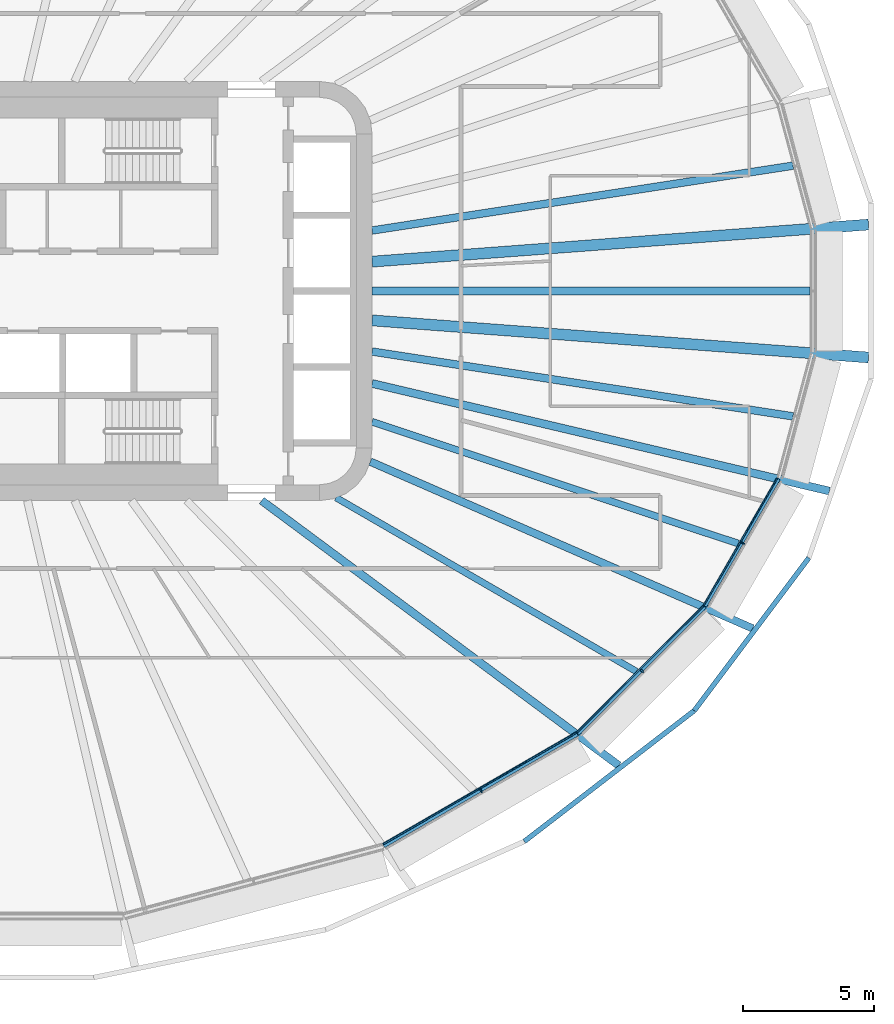
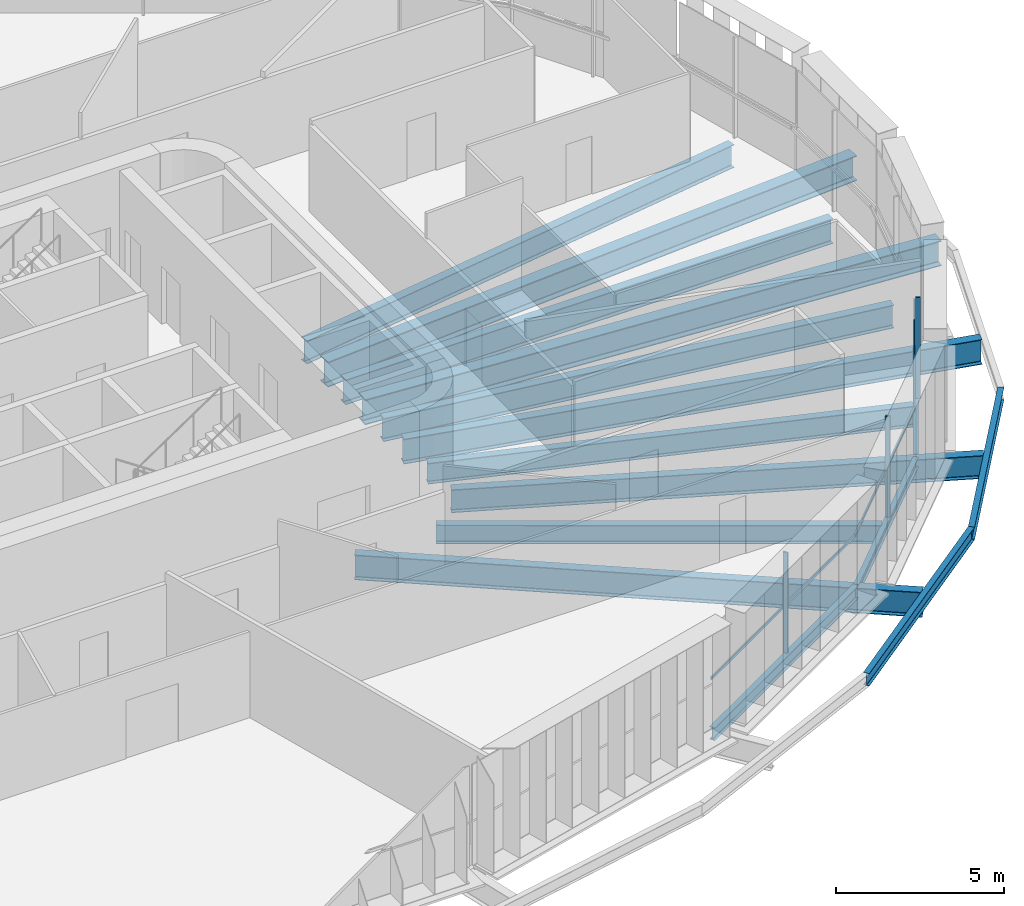
# One storey, part 5 of 25: 15 beams, 6 members, 3 elements without a shape of their own.
"""IFC4 building model written with IfcOpenShell, lengths in metres."""

from ifc_helpers import new_model, si_unit, direction, frame, origin, origin_2d, place, context, subcontext, project, spatial, rectangle, i_section, extrude, material, layer, layer_set, material_profile, profile_set, type_object, element, aggregate, save


model = new_model("IFC4")

# Units and contexts
model_context = context("Model", 3, precision=1e-05, world=origin(), true_north=direction((0.0, 1.0)))
body_context = subcontext(model_context, "Body", "Model", "MODEL_VIEW")
ifc_project = project(units=[si_unit("LENGTHUNIT", "METRE"), si_unit("AREAUNIT", "SQUARE_METRE"), si_unit("VOLUMEUNIT", "CUBIC_METRE"), si_unit("PLANEANGLEUNIT", "RADIAN"), si_unit("MASSUNIT", "GRAM", prefix="KILO")], contexts=[model_context])

# Site, building, storey
site_placement = place(None, origin())
site = spatial("IfcSite", under=ifc_project, at=site_placement, CompositionType="ELEMENT")
building_placement = place(site_placement, origin())
building = spatial("IfcBuilding", under=site, at=building_placement, Name="Sahrelin Media Tower", CompositionType="ELEMENT")
storey_placement = place(building_placement, frame((0.0, 0.0, 106.199951171875)))
storey = spatial("IfcBuildingStorey", under=building, at=storey_placement, Name="L20", CompositionType="ELEMENT", Elevation=106.199951171875)

# Beams
ifc_material_1 = material(Name="Steel S355", Category="steel")
ifc_material_profile_1 = material_profile(ifc_material_1, i_section(OverallWidth=0.1650390625, OverallDepth=0.303466796875, WebThickness=0.006103515625, FlangeThickness=0.01025390625, FilletRadius=0.0087890625, at=origin_2d()), Name="UB 305x165x40")
ifc_profile_set_1 = profile_set([ifc_material_profile_1], Name="Steel S355")
beam_type_1 = type_object("IfcBeamType", Name="Edge beam EB2", PredefinedType="BEAM", material=ifc_profile_set_1)
beam_1_placement = place(storey_placement, frame((30.5048828125, -7.1650390625, -0.3017578125), z_axis=(-0.500017404508, -0.866015355054, 0.0), x_axis=(0.866015355054, -0.500017404508, 0.0)))
element("IfcBeam", 1, at=beam_1_placement, inside=storey, type_object=beam_type_1, Name="Edge beam L20-03", PredefinedType="BEAM", context=body_context, shape_type="SweptSolid", body=[
    extrude(i_section(OverallWidth=0.1650390625, OverallDepth=0.303466796875, WebThickness=0.006103515625, FlangeThickness=0.01025390625, FilletRadius=0.0087890625, at=origin_2d()), origin(), (0.0, 0.0, 1.0), 5.612548828125),
])
ifc_material_profile_2 = material_profile(ifc_material_1, i_section(OverallWidth=0.17138671875, OverallDepth=0.35498046875, WebThickness=0.00732421875, FlangeThickness=0.011474609375, FilletRadius=0.01025390625, at=origin_2d()), Name="UB 356x171x51")
ifc_profile_set_2 = profile_set([ifc_material_profile_2], Name="Steel S355")
beam_type_2 = type_object("IfcBeamType", Name="Edge beam EB3", PredefinedType="BEAM", material=ifc_profile_set_2)
beam_2_placement = place(storey_placement, frame((27.68115234375, -12.048583984375, -0.327392578125), z_axis=(-0.707124646667, -0.707088915255, 0.0), x_axis=(0.707088915255, -0.707124646667, 0.0)))
element("IfcBeam", 2, at=beam_2_placement, inside=storey, type_object=beam_type_2, Name="Edge beam L20-04", PredefinedType="BEAM", context=body_context, shape_type="SweptSolid", body=[
    extrude(i_section(OverallWidth=0.17138671875, OverallDepth=0.35498046875, WebThickness=0.00732421875, FlangeThickness=0.011474609375, FilletRadius=0.01025390625, at=origin_2d()), origin(), (0.0, 0.0, 1.0), 6.832763671875),
])
ifc_material_profile_3 = material_profile(ifc_material_1, i_section(OverallWidth=0.1904296875, OverallDepth=0.45703125, WebThickness=0.009033203125, FlangeThickness=0.014404296875, FilletRadius=0.01025390625, at=origin_2d()), Name="UB 457x191x74")
ifc_profile_set_3 = profile_set([ifc_material_profile_3], Name="Steel S355")
beam_type_3 = type_object("IfcBeamType", Name="Edge beam EB5", PredefinedType="BEAM", material=ifc_profile_set_3)
beam_3_placement = place(storey_placement, frame((22.82666015625, -16.8974609375, -0.37841796875), z_axis=(-0.866017364183, -0.500013924739, 0.0), x_axis=(0.500013924739, -0.866017364183, 0.0)))
element("IfcBeam", 3, at=beam_3_placement, inside=storey, type_object=beam_type_3, Name="Edge beam L20-05", PredefinedType="BEAM", context=body_context, shape_type="SweptSolid", body=[
    extrude(i_section(OverallWidth=0.1904296875, OverallDepth=0.45703125, WebThickness=0.009033203125, FlangeThickness=0.014404296875, FilletRadius=0.01025390625, at=origin_2d()), origin(), (0.0, 0.0, 1.0), 8.531494140625),
])

# Curtain wall, member
ifc_material_2 = material(Name="Champagne anodised aluminium 6063-T6", Category="aluminium")
ifc_layer = layer(ifc_material_2, 0.14990234375)
ifc_layer_set = layer_set([ifc_layer], Name="Tower ribbon curtain wall")
curtain_wall_type = type_object("IfcCurtainWallType", Name="Tower ribbon curtain wall", PredefinedType="NOTDEFINED", material=ifc_layer_set)
curtain_wall_1_placement = place(storey_placement, frame((19.20751953125, -19.160400390625, 0.0), z_axis=(0.0, 0.0, 1.0), x_axis=(1.0, 0.0, 0.0)))
curtain_wall_1 = element("IfcCurtainWall", 4, at=curtain_wall_1_placement, inside=storey, type_object=curtain_wall_type, Name="L20:CW:L20-20", PredefinedType="NOTDEFINED")
ifc_material_profile_4 = material_profile(ifc_material_2, rectangle(XDim=0.06005859375, YDim=0.14990234375, at=origin_2d()), Name="Mullion 60x150")
ifc_profile_set_4 = profile_set([ifc_material_profile_4], Name="Champagne anodised aluminium 6063-T6")
member_type_1 = type_object("IfcMemberType", Name="Mullion 60x150 CW1", PredefinedType="MULLION", material=ifc_profile_set_4)
member_1_placement = place(storey_placement, frame((19.159912109375, -19.077880859375, 0.0), z_axis=(0.0, 0.0, 1.0), x_axis=(0.866024531118, 0.500001511499, 0.0)))
member_1 = element("IfcMember", 5, at=member_1_placement, type_object=member_type_1, Name="L20:CWM:L20-20", PredefinedType="MULLION", context=body_context, shape_type="SweptSolid", body=[
    extrude(rectangle(XDim=0.06005859375, YDim=0.14990234375, at=origin_2d()), origin(), (0.0, 0.0, 1.0), 3.648681640625),
])

curtain_wall_2_placement = place(storey_placement, frame((25.371337890625, -14.5703125, 0.0), z_axis=(0.0, 0.0, 1.0), x_axis=(1.0, 0.0, 0.0)))
curtain_wall_2 = element("IfcCurtainWall", 6, at=curtain_wall_2_placement, inside=storey, type_object=curtain_wall_type, Name="L20:CW:L20-21", PredefinedType="NOTDEFINED")
member_2_placement = place(storey_placement, frame((25.30419921875, -14.503173828125, 0.0), z_axis=(0.0, 0.0, 1.0), x_axis=(0.707106781187, 0.707106781187, 0.0)))
member_2 = element("IfcMember", 7, at=member_2_placement, type_object=member_type_1, Name="L20:CWM:L20-21", PredefinedType="MULLION", context=body_context, shape_type="SweptSolid", body=[
    extrude(rectangle(XDim=0.06005859375, YDim=0.14990234375, at=origin_2d()), origin(), (0.0, 0.0, 1.0), 3.648681640625),
])

curtain_wall_3_placement = place(storey_placement, frame((29.231689453125, -9.67041015625, 0.0), z_axis=(0.0, 0.0, 1.0), x_axis=(1.0, 0.0, 0.0)))
curtain_wall_3 = element("IfcCurtainWall", 8, at=curtain_wall_3_placement, inside=storey, type_object=curtain_wall_type, Name="L20:CW:L20-22", PredefinedType="NOTDEFINED")
member_3_placement = place(storey_placement, frame((29.1494140625, -9.622802734375, 0.0), z_axis=(0.0, 0.0, 1.0), x_axis=(0.500004534492, 0.866022785779, 0.0)))
member_3 = element("IfcMember", 9, at=member_3_placement, type_object=member_type_1, Name="L20:CWM:L20-22", PredefinedType="MULLION", context=body_context, shape_type="SweptSolid", body=[
    extrude(rectangle(XDim=0.06005859375, YDim=0.14990234375, at=origin_2d()), origin(), (0.0, 0.0, 1.0), 3.648681640625),
])

# Beams
ifc_material_profile_5 = material_profile(ifc_material_1, i_section(OverallWidth=0.291748046875, OverallDepth=0.8349609375, WebThickness=0.013916015625, FlangeThickness=0.018798828125, FilletRadius=0.017822265625, at=origin_2d()), Name="UB 838x292x176")
ifc_profile_set_5 = profile_set([ifc_material_profile_5], Name="Steel S355")
beam_type_4 = type_object("IfcBeamType", Name="Radial primary beam PB10", PredefinedType="BEAM", material=ifc_profile_set_5)
beam_4_placement = place(storey_placement, frame((14.9326171875, -6.512939453125, -0.5673828125), z_axis=(0.916604953185, -0.399794146777, 0.0), x_axis=(0.399794146777, 0.916604953185, 0.0)))
element("IfcBeam", 10, at=beam_4_placement, inside=storey, type_object=beam_type_4, Name="Radial beam L20-22", PredefinedType="BEAM", context=body_context, shape_type="SweptSolid", body=[
    extrude(i_section(OverallWidth=0.291748046875, OverallDepth=0.8349609375, WebThickness=0.013916015625, FlangeThickness=0.018798828125, FilletRadius=0.017822265625, at=origin_2d()), origin(), (0.0, 0.0, 1.0), 15.927490234375),
])
ifc_material_profile_6 = material_profile(ifc_material_1, i_section(OverallWidth=0.30322265625, OverallDepth=0.903076171875, WebThickness=0.01513671875, FlangeThickness=0.020263671875, FilletRadius=0.01904296875, at=origin_2d()), Name="UB 914x305x201")
ifc_profile_set_6 = profile_set([ifc_material_profile_6], Name="Steel S355")
beam_type_5 = type_object("IfcBeamType", Name="Radial primary beam PB11", PredefinedType="BEAM", material=ifc_profile_set_6)
beam_5_placement = place(storey_placement, frame((10.78466796875, -8.0, -0.6015625), z_axis=(0.803155745006, -0.595769124127, 0.0), x_axis=(0.595769124127, 0.803155745006, 0.0)))
element("IfcBeam", 11, at=beam_5_placement, inside=storey, type_object=beam_type_5, Name="Radial beam L20-21", PredefinedType="BEAM", context=body_context, shape_type="SweptSolid", body=[
    extrude(i_section(OverallWidth=0.30322265625, OverallDepth=0.903076171875, WebThickness=0.01513671875, FlangeThickness=0.020263671875, FilletRadius=0.01904296875, at=origin_2d()), origin(), (0.0, 0.0, 1.0), 16.9755859375),
])
beam_6_placement = place(storey_placement, frame((15.0, -3.528564453125, -0.6015625), z_axis=(0.973432697563, -0.228973324463, 0.0), x_axis=(0.228973324463, 0.973432697563, 0.0)))
element("IfcBeam", 12, at=beam_6_placement, inside=storey, type_object=beam_type_5, Name="Radial beam L20-23", PredefinedType="BEAM", context=body_context, shape_type="SweptSolid", body=[
    extrude(i_section(OverallWidth=0.30322265625, OverallDepth=0.903076171875, WebThickness=0.01513671875, FlangeThickness=0.020263671875, FilletRadius=0.01904296875, at=origin_2d()), origin(), (0.0, 0.0, 1.0), 17.935302734375),
])
ifc_material_profile_7 = material_profile(ifc_material_1, i_section(OverallWidth=0.41845703125, OverallDepth=0.911865234375, WebThickness=0.019287109375, FlangeThickness=0.031982421875, FilletRadius=0.024169921875, at=origin_2d()), Name="UB 914x419x343")
ifc_profile_set_7 = profile_set([ifc_material_profile_7], Name="Steel S355")
beam_type_6 = type_object("IfcBeamType", Name="Radial primary beam PB12", PredefinedType="BEAM", material=ifc_profile_set_7)
for number, where, z_axis, x_axis, name in (
    (13, (15.0, 1.12109375, -0.60595703125), (0.997219944045, 0.074514315397, 0.0), (-0.074514315397, 0.997219944045, 0.0), "Radial beam L20-01"),
    (14, (15.0, -1.12109375, -0.60595703125), (0.997219944045, -0.074514315397, 0.0), (0.074514315397, 0.997219944045, 0.0), "Radial beam L20-24"),
):
    element("IfcBeam", number, at=place(storey_placement, frame(where, z_axis=z_axis, x_axis=x_axis)), inside=storey, type_object=beam_type_6, Name=name, PredefinedType="BEAM", context=body_context, shape_type="SweptSolid", body=[
        extrude(i_section(OverallWidth=0.41845703125, OverallDepth=0.911865234375, WebThickness=0.019287109375, FlangeThickness=0.031982421875, FilletRadius=0.024169921875, at=origin_2d()), origin(), (0.0, 0.0, 1.0), 19.003173828125),
    ])
ifc_material_profile_8 = material_profile(ifc_material_1, i_section(OverallWidth=0.291748046875, OverallDepth=0.8349609375, WebThickness=0.013916015625, FlangeThickness=0.018798828125, FilletRadius=0.017822265625, at=origin_2d()), Name="UB 838x292x176")
ifc_profile_set_8 = profile_set([ifc_material_profile_8], Name="Steel S355")
beam_type_7 = type_object("IfcBeamType", Name="Radial secondary beam SB10", PredefinedType="BEAM", material=ifc_profile_set_8)
for number, where, z_axis, x_axis, name in (
    (15, (15.0, 2.310302734375, -0.5673828125), (0.988347036521, 0.152217395197, 0.0), (-0.152217395197, 0.988347036521, 0.0), "Secondary beam L20-01"),
    (16, (15.0, -2.310302734375, -0.5673828125), (0.988347036521, -0.152217395197, 0.0), (0.152217395197, 0.988347036521, 0.0), "Secondary beam L20-23"),
):
    element("IfcBeam", number, at=place(storey_placement, frame(where, z_axis=z_axis, x_axis=x_axis)), inside=storey, type_object=beam_type_7, Name=name, PredefinedType="BEAM", context=body_context, shape_type="SweptSolid", body=[
        extrude(i_section(OverallWidth=0.291748046875, OverallDepth=0.8349609375, WebThickness=0.013916015625, FlangeThickness=0.018798828125, FilletRadius=0.017822265625, at=origin_2d()), origin(), (0.0, 0.0, 1.0), 16.26025390625),
    ])
ifc_material_profile_9 = material_profile(ifc_material_1, i_section(OverallWidth=0.30322265625, OverallDepth=0.903076171875, WebThickness=0.01513671875, FlangeThickness=0.020263671875, FilletRadius=0.01904296875, at=origin_2d()), Name="UB 914x305x201")
ifc_profile_set_9 = profile_set([ifc_material_profile_9], Name="Steel S355")
beam_type_8 = type_object("IfcBeamType", Name="Radial secondary beam SB11", PredefinedType="BEAM", material=ifc_profile_set_9)
beam_7_placement = place(storey_placement, frame((15.0, 0.0, -0.6015625), z_axis=(1.0, 0.0, 0.0), x_axis=(0.0, 1.0, 0.0)))
element("IfcBeam", 17, at=beam_7_placement, inside=storey, type_object=beam_type_8, Name="Secondary beam L20-24", PredefinedType="BEAM", context=body_context, shape_type="SweptSolid", body=[
    extrude(i_section(OverallWidth=0.30322265625, OverallDepth=0.903076171875, WebThickness=0.01513671875, FlangeThickness=0.020263671875, FilletRadius=0.01904296875, at=origin_2d()), origin(), (0.0, 0.0, 1.0), 16.72119140625),
])
ifc_material_profile_10 = material_profile(ifc_material_1, i_section(OverallWidth=0.2529296875, OverallDepth=0.677978515625, WebThickness=0.01171875, FlangeThickness=0.01611328125, FilletRadius=0.01513671875, at=origin_2d()), Name="UB 686x254x125")
ifc_profile_set_10 = profile_set([ifc_material_profile_10], Name="Steel S355")
beam_type_9 = type_object("IfcBeamType", Name="Radial secondary beam SB8", PredefinedType="BEAM", material=ifc_profile_set_10)
beam_8_placement = place(storey_placement, frame((13.625, -7.887451171875, -0.48876953125), z_axis=(0.865447741605, -0.500999208134, 0.0), x_axis=(0.500999208134, 0.865447741605, 0.0)))
element("IfcBeam", 18, at=beam_8_placement, inside=storey, type_object=beam_type_9, Name="Secondary beam L20-21", PredefinedType="BEAM", context=body_context, shape_type="SweptSolid", body=[
    extrude(i_section(OverallWidth=0.2529296875, OverallDepth=0.677978515625, WebThickness=0.01171875, FlangeThickness=0.01611328125, FilletRadius=0.01513671875, at=origin_2d()), origin(), (0.0, 0.0, 1.0), 13.2431640625),
])
ifc_material_profile_11 = material_profile(ifc_material_1, i_section(OverallWidth=0.26513671875, OverallDepth=0.75390625, WebThickness=0.0126953125, FlangeThickness=0.017578125, FilletRadius=0.0166015625, at=origin_2d()), Name="UB 762x267x147")
ifc_profile_set_11 = profile_set([ifc_material_profile_11], Name="Steel S355")
beam_type_10 = type_object("IfcBeamType", Name="Radial secondary beam SB9", PredefinedType="BEAM", material=ifc_profile_set_11)
beam_9_placement = place(storey_placement, frame((15.0, -4.989990234375, -0.52685546875), z_axis=(0.948863762476, -0.31568585692, 0.0), x_axis=(0.31568585692, 0.948863762476, 0.0)))
element("IfcBeam", 19, at=beam_9_placement, inside=storey, type_object=beam_type_10, Name="Secondary beam L20-22", PredefinedType="BEAM", context=body_context, shape_type="SweptSolid", body=[
    extrude(i_section(OverallWidth=0.26513671875, OverallDepth=0.75390625, WebThickness=0.0126953125, FlangeThickness=0.017578125, FilletRadius=0.0166015625, at=origin_2d()), origin(), (0.0, 0.0, 1.0), 14.7333984375),
])
ifc_material_profile_12 = material_profile(ifc_material_1, i_section(OverallWidth=0.1904296875, OverallDepth=0.45703125, WebThickness=0.009033203125, FlangeThickness=0.014404296875, FilletRadius=0.01025390625, at=origin_2d()), Name="UB 457x191x74")
ifc_profile_set_12 = profile_set([ifc_material_profile_12], Name="Steel S355")
beam_type_11 = type_object("IfcBeamType", Name="Tie chord TC5", PredefinedType="BEAM", material=ifc_profile_set_12)
beam_10_placement = place(storey_placement, frame((20.810546875, -21.0107421875, -0.37841796875), z_axis=(0.792454327323, 0.60993125769, 0.0), x_axis=(-0.60993125769, 0.792454327323, 0.0)))
element("IfcBeam", 20, at=beam_10_placement, inside=storey, type_object=beam_type_11, Name="Tie chord L20-21", PredefinedType="BEAM", context=body_context, shape_type="SweptSolid", body=[
    extrude(i_section(OverallWidth=0.1904296875, OverallDepth=0.45703125, WebThickness=0.009033203125, FlangeThickness=0.014404296875, FilletRadius=0.01025390625, at=origin_2d()), origin(), (0.0, 0.0, 1.0), 8.18603515625),
])
beam_11_placement = place(storey_placement, frame((27.297607421875, -16.017822265625, -0.37841796875), z_axis=(0.600037514246, 0.799971862941, 0.0), x_axis=(-0.799971862941, 0.600037514246, 0.0)))
element("IfcBeam", 21, at=beam_11_placement, inside=storey, type_object=beam_type_11, Name="Tie chord L20-22", PredefinedType="BEAM", context=body_context, shape_type="SweptSolid", body=[
    extrude(i_section(OverallWidth=0.1904296875, OverallDepth=0.45703125, WebThickness=0.009033203125, FlangeThickness=0.014404296875, FilletRadius=0.01025390625, at=origin_2d()), origin(), (0.0, 0.0, 1.0), 7.288818359375),
])

# Member
ifc_material_profile_13 = material_profile(ifc_material_2, rectangle(XDim=0.050048828125, YDim=0.10009765625, at=origin_2d()), Name="Transom 50x100")
ifc_profile_set_13 = profile_set([ifc_material_profile_13], Name="Champagne anodised aluminium 6063-T6")
member_type_2 = type_object("IfcMemberType", Name="Transom 50x100 CW1", PredefinedType="USERDEFINED", material=ifc_profile_set_13)
member_4_placement = place(storey_placement, frame((15.429443359375, -21.116455078125, 1.60009765625), z_axis=(0.866021522889, 0.500006721848, 0.0), x_axis=(-0.500006721848, 0.866021522889, 0.0)))
member_4 = element("IfcMember", 22, at=member_4_placement, type_object=member_type_2, Name="L20:CWT:L20-20", ObjectType="TRANSOM", PredefinedType="USERDEFINED", context=body_context, shape_type="SweptSolid", body=[
    extrude(rectangle(XDim=0.050048828125, YDim=0.10009765625, at=origin_2d()), origin(), (0.0, 0.0, 1.0), 8.5),
])

aggregate(curtain_wall_1, [member_1, member_4])

member_5_placement = place(storey_placement, frame((22.828857421875, -16.837158203125, 1.60009765625), z_axis=(0.707106781187, 0.707106781187, 0.0), x_axis=(-0.707106781187, 0.707106781187, 0.0)))
member_5 = element("IfcMember", 23, at=member_5_placement, type_object=member_type_2, Name="L20:CWT:L20-21", ObjectType="TRANSOM", PredefinedType="USERDEFINED", context=body_context, shape_type="SweptSolid", body=[
    extrude(rectangle(XDim=0.050048828125, YDim=0.10009765625, at=origin_2d()), origin(), (0.0, 0.0, 1.0), 6.801513671875),
])

aggregate(curtain_wall_2, [member_2, member_5])

member_6_placement = place(storey_placement, frame((27.66748046875, -11.989501953125, 1.60009765625), z_axis=(0.499987512418, 0.866032613373, 0.0), x_axis=(-0.866032613373, 0.499987512418, 0.0)))
member_6 = element("IfcMember", 24, at=member_6_placement, type_object=member_type_2, Name="L20:CWT:L20-22", ObjectType="TRANSOM", PredefinedType="USERDEFINED", context=body_context, shape_type="SweptSolid", body=[
    extrude(rectangle(XDim=0.050048828125, YDim=0.10009765625, at=origin_2d()), origin(), (0.0, 0.0, 1.0), 5.581298828125),
])

aggregate(curtain_wall_3, [member_3, member_6])

save(model, "model.ifc")
